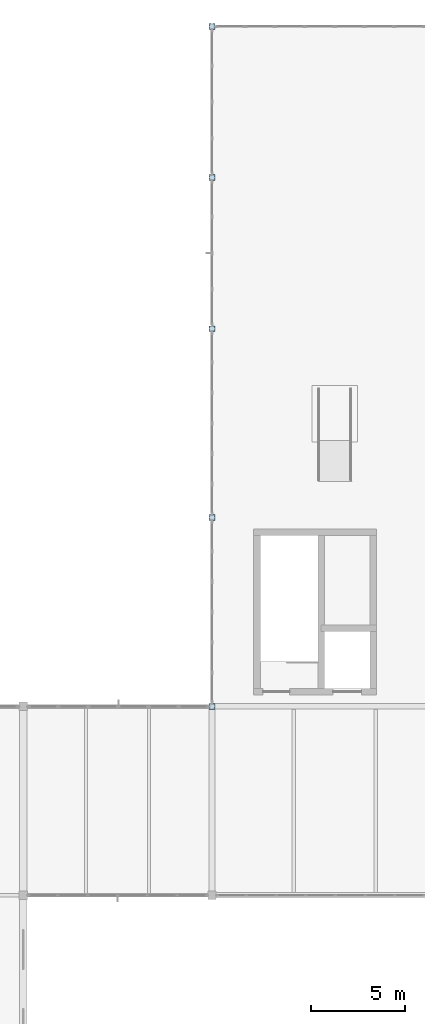
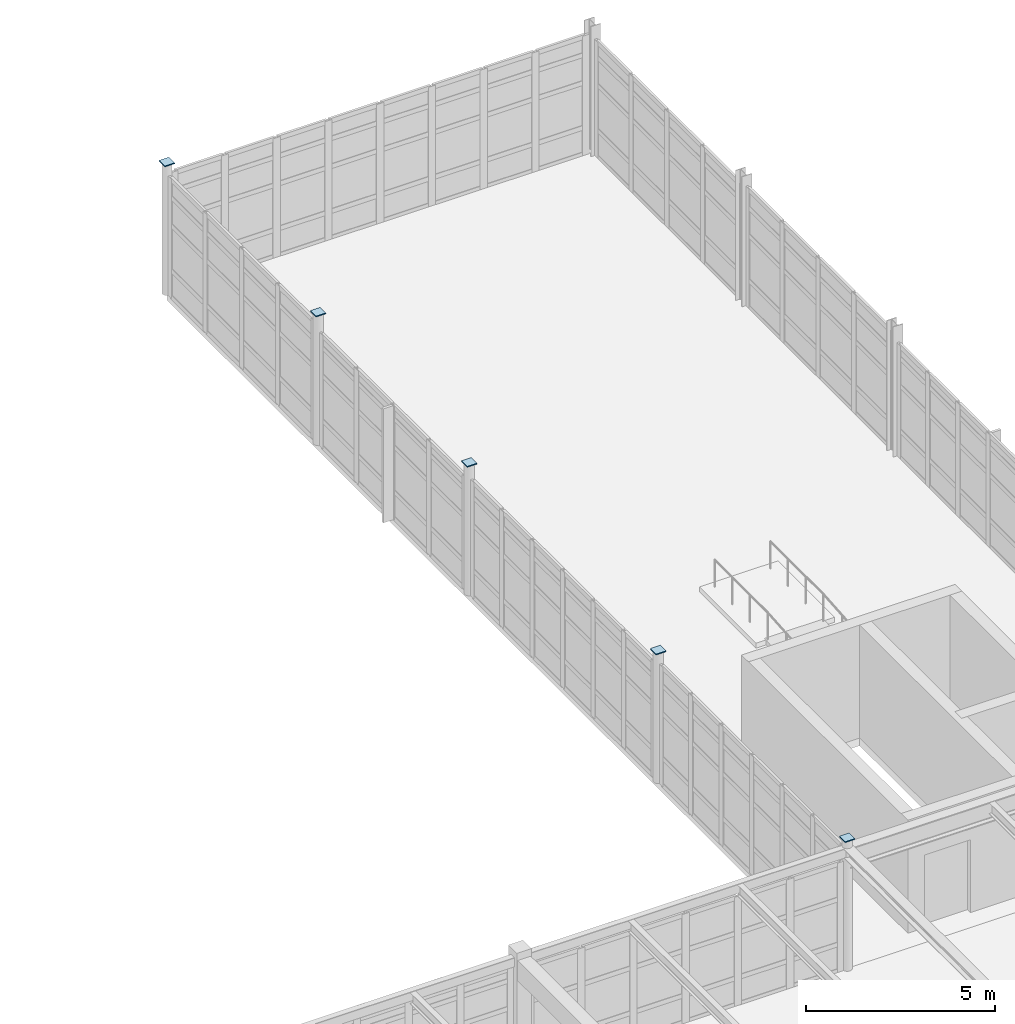
# One storey, part 101 of 122: 5 plates.
"""IFC4 building model written with IfcOpenShell, lengths in metres."""

from ifc_helpers import new_model, si_unit, direction, frame, origin, origin_2d, place, context, subcontext, project, spatial, rectangle, extrude, material, layer, layer_set, type_object, element, save


model = new_model("IFC4")

# Units and contexts
model_context = context("Model", 3, precision=1e-05, world=origin(), true_north=direction((0.0, 1.0)))
body_context = subcontext(model_context, "Body", "Model", "MODEL_VIEW")
ifc_project = project(units=[si_unit("LENGTHUNIT", "METRE"), si_unit("AREAUNIT", "SQUARE_METRE"), si_unit("VOLUMEUNIT", "CUBIC_METRE"), si_unit("PLANEANGLEUNIT", "RADIAN"), si_unit("MASSUNIT", "GRAM", prefix="KILO"), si_unit("THERMODYNAMICTEMPERATUREUNIT", "KELVIN"), si_unit("POWERUNIT", "WATT")], contexts=[model_context])

# Site, building, storey
site_placement = place(None, origin())
site = spatial("IfcSite", under=ifc_project, at=site_placement, CompositionType="ELEMENT")
building_placement = place(site_placement, origin())
building = spatial("IfcBuilding", under=site, at=building_placement, Name="Korenveer Ferry Terminal", CompositionType="ELEMENT")
storey_placement = place(building_placement, frame((0.0, 0.0, 10.199951171875)))
storey = spatial("IfcBuildingStorey", under=building, at=storey_placement, Name="L02", CompositionType="ELEMENT", Elevation=10.199951171875)

# Plates
ifc_material = material(Name="Steel S355", Category="steel")
ifc_layer = layer(ifc_material, 0.031982421875)
ifc_layer_set = layer_set([ifc_layer], Name="Steel S355")
plate_type = type_object("IfcPlateType", Name="STR-PLT-CAP32", PredefinedType="USERDEFINED", material=ifc_layer_set)
for number, where, z_axis, x_axis, name in (
    (1, (40.0, 80.0, 4.2001953125), (0.0, 0.0, 1.0), (1.0, 0.0, 0.0), "Hollow section end cap 67"),
    (2, (40.0, 90.0, 4.2001953125), (0.0, 0.0, 1.0), (1.0, 0.0, 0.0), "Hollow section end cap 68"),
    (3, (40.0, 100.0, 4.2001953125), (0.0, 0.0, 1.0), (1.0, 0.0, 0.0), "Hollow section end cap 69"),
    (4, (40.0, 108.0, 4.2001953125), (0.0, 0.0, 1.0), (1.0, 0.0, 0.0), "Hollow section end cap 70"),
    (5, (40.0, 116.0, 4.2001953125), (0.0, 0.0, 1.0), (1.0, 0.0, 0.0), "Hollow section end cap 71"),
):
    element("IfcPlate", number, at=place(storey_placement, frame(where, z_axis=z_axis, x_axis=x_axis)), inside=storey, type_object=plate_type, Name=name, ObjectType="END CAP PLATE", PredefinedType="USERDEFINED", context=body_context, shape_type="SweptSolid", body=[
        extrude(rectangle(XDim=0.302978515625, YDim=0.302978515625, at=origin_2d()), origin(), (0.0, 0.0, 1.0), 0.031982421875),
    ])

save(model, "model.ifc")
